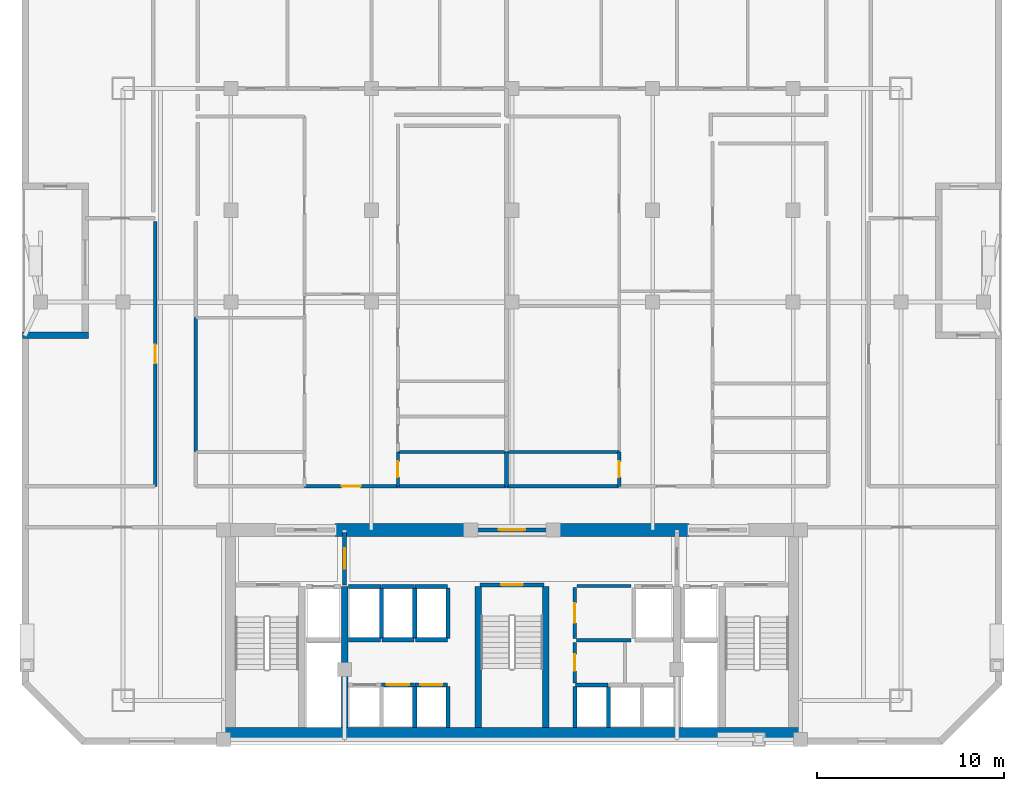
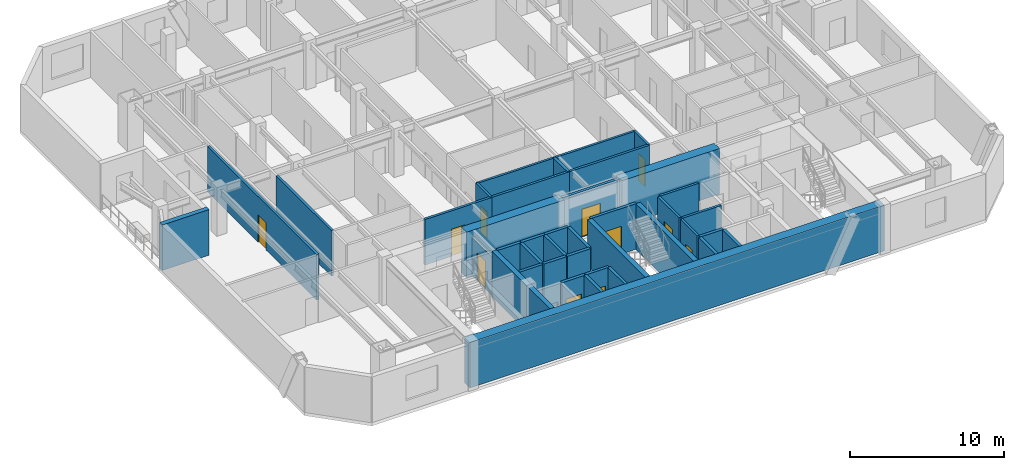
# One storey, part 3 of 9: 40 walls, 11 doors, 11 openings.
"""IFC4 building model written with IfcOpenShell, lengths in metres."""

from ifc_helpers import new_model, si_unit, direction, frame, frame_2d, origin, place, context, subcontext, project, spatial, rectangle, extrude, material, layer, layer_set, type_object, element, fill, save


model = new_model("IFC4")

# Units and contexts
model_context = context("Model", 3, precision=1e-05, world=origin(), true_north=direction((0.0, 1.0)))
body_context = subcontext(model_context, "Body", "Model", "MODEL_VIEW")
ifc_project = project(units=[si_unit("LENGTHUNIT", "METRE"), si_unit("AREAUNIT", "SQUARE_METRE"), si_unit("VOLUMEUNIT", "CUBIC_METRE"), si_unit("PLANEANGLEUNIT", "RADIAN"), si_unit("MASSUNIT", "GRAM", prefix="KILO")], contexts=[model_context])

# Site, building, storey
site_placement = place(None, origin())
site = spatial("IfcSite", under=ifc_project, at=site_placement, CompositionType="ELEMENT")
building_placement = place(site_placement, origin())
building = spatial("IfcBuilding", under=site, at=building_placement, Name="Ventersveld Concourse Tower", CompositionType="ELEMENT")
storey_placement = place(building_placement, frame((0.0, 0.0, 115.699951171875)))
storey = spatial("IfcBuildingStorey", under=building, at=storey_placement, Name="L28", CompositionType="ELEMENT", Elevation=115.699951171875)

# Walls
ifc_material_1 = material(Name="Concrete C60/75", Category="concrete")
ifc_layer_1 = layer(ifc_material_1, 0.35009765625)
ifc_layer_set_1 = layer_set([ifc_layer_1], Name="Concrete C60/75")
wall_type_1 = type_object("IfcWallType", Name="WL-CORE-350L", PredefinedType="SHEAR", material=ifc_layer_set_1)
for number, where, z_axis, x_axis, name in (
    (1, (19.820068359375, 0.919921875, 0.0), (0.0, 0.0, 1.0), (0.0, 1.0, 0.0), "L28 Core Internal Shear Web W-FF1-E"),
    (2, (26.93994140625, 0.919921875, 0.0), (0.0, 0.0, 1.0), (0.0, 1.0, 0.0), "L28 Core Internal Shear Web W-ST3-W"),
    (3, (30.56005859375, 0.919921875, 0.0), (0.0, 0.0, 1.0), (0.0, 1.0, 0.0), "L28 Core Internal Shear Web W-ST3-E"),
):
    element("IfcWall", number, at=place(storey_placement, frame(where, z_axis=z_axis, x_axis=x_axis)), inside=storey, type_object=wall_type_1, Name=name, PredefinedType="SHEAR", context=body_context, shape_type="SweptSolid", body=[
        extrude(rectangle(XDim=7.5, YDim=0.35009765625, at=frame_2d((3.75, 0.0))), origin(), (0.0, 0.0, 1.0), 3.60009765625),
    ])
ifc_layer_2 = layer(ifc_material_1, 0.699951171875)
ifc_layer_set_2 = layer_set([ifc_layer_2], Name="Concrete C60/75")
wall_type_2 = type_object("IfcWallType", Name="WL-CORE-700", PredefinedType="SHEAR", material=ifc_layer_set_2)
wall_1_placement = place(storey_placement, frame((13.25, 0.570068359375, 0.0), z_axis=(0.0, 0.0, 1.0), x_axis=(1.0, 0.0, 0.0)))
element("IfcWall", 4, at=wall_1_placement, inside=storey, type_object=wall_type_2, Name="L28 Rear Core South Shear Wall", PredefinedType="SHEAR", context=body_context, shape_type="SweptSolid", body=[
    extrude(rectangle(XDim=31.0, YDim=0.699951171875, at=frame_2d((15.5, 0.0))), origin(), (0.0, 0.0, 1.0), 3.60009765625),
])
for number, where, z_axis, x_axis, name in (
    (5, (19.300048828125, 11.449951171875, 0.0), (0.0, 0.0, 1.0), (1.0, 0.0, 0.0), "L28 Rear Core North Shear Wall NML"),
    (6, (30.89990234375, 11.449951171875, 0.0), (0.0, 0.0, 1.0), (1.0, 0.0, 0.0), "L28 Rear Core North Shear Wall NMR"),
):
    element("IfcWall", number, at=place(storey_placement, frame(where, z_axis=z_axis, x_axis=x_axis)), inside=storey, type_object=wall_type_2, Name=name, PredefinedType="SHEAR", context=body_context, shape_type="SweptSolid", body=[
        extrude(rectangle(XDim=7.300048828125, YDim=0.699951171875, at=frame_2d((3.64990234375, 0.0))), origin(), (0.0, 0.0, 1.0), 3.60009765625),
    ])

# Wall, opening, door
ifc_material_2 = material(Name="Fire-rated autoclaved aerated masonry blockwork", Category="masonry")
ifc_layer_3 = layer(ifc_material_2, 0.179931640625)
ifc_layer_set_3 = layer_set([ifc_layer_3], Name="Fire-rated autoclaved aerated masonry blockwork")
wall_type_3 = type_object("IfcWallType", Name="WL-CORR-180", PredefinedType="PARTITIONING", material=ifc_layer_set_3)
wall_2_placement = place(storey_placement, frame((32.10009765625, 5.64990234375, 0.0), z_axis=(0.0, 0.0, 1.0), x_axis=(0.0, 1.0, 0.0)))
wall_2 = element("IfcWall", 7, at=wall_2_placement, inside=storey, type_object=wall_type_3, Name="L28 Core Passage Wall SP-L28-CBAY1", PredefinedType="PARTITIONING", context=body_context, shape_type="SweptSolid", body=[
    extrude(rectangle(XDim=2.72998046875, YDim=0.179931640625, at=frame_2d((1.364990234375, 0.0))), origin(), (0.0, 0.0, 1.0), 3.60009765625),
])
opening_1_placement = place(wall_2_placement, frame((0.840087890625, 0.0, 0.0)))
opening_1 = element("IfcOpeningElement", 8, at=opening_1_placement, cuts=wall_2, Name="Opening ID3", PredefinedType="OPENING", context=body_context, shape_type="SweptSolid", body=[
    extrude(rectangle(XDim=1.050048828125, YDim=2.14990234375, at=frame_2d((0.52490234375, 1.074951171875))), frame((0.0, 0.10009765625, 0.0), z_axis=(0.0, -1.0, 0.0), x_axis=(1.0, 0.0, 0.0)), (0.0, 0.0, 1.0), 0.199951171875),
])
ifc_material_3 = material(Name="Solid-core hardwood veneer timber", Category="wood")
door_type_1 = type_object("IfcDoorType", Name="DR-AWC-105", OperationType="NOTDEFINED", PredefinedType="DOOR", material=ifc_material_3)
door_1_placement = place(opening_1_placement, origin())
door_1 = element("IfcDoor", 9, at=door_1_placement, inside=storey, type_object=door_type_1, Name="L28 Core Room Door L28 Core Unisex Accessible WC (CD-L28-1382)", OperationType="SINGLE_SWING_LEFT", OverallHeight=2.14990234375, OverallWidth=1.050048828125, PredefinedType="DOOR", context=body_context, shape_type="SweptSolid", body=[
    extrude(rectangle(XDim=1.050048828125, YDim=2.14990234375, at=frame_2d((0.52490234375, 1.074951171875))), frame((0.0, 0.02490234375, 0.0), z_axis=(0.0, -1.0, 0.0), x_axis=(1.0, 0.0, 0.0)), (0.0, 0.0, 1.0), 0.050048828125),
])
fill(opening_1, door_1)

# Walls
wall_3_placement = place(storey_placement, frame((32.219970703125, 8.4599609375, 0.0), z_axis=(0.0, 0.0, 1.0), x_axis=(1.0, 0.0, 0.0)))
element("IfcWall", 10, at=wall_3_placement, inside=storey, type_object=wall_type_3, Name="L28 Core Top Wall SP-L28-CBAY1", PredefinedType="PARTITIONING", context=body_context, shape_type="SweptSolid", body=[
    extrude(rectangle(XDim=2.880126953125, YDim=0.179931640625, at=frame_2d((1.43994140625, 0.0))), origin(), (0.0, 0.0, 1.0), 3.60009765625),
])
wall_4_placement = place(storey_placement, frame((32.179931640625, 5.570068359375, 0.0), z_axis=(0.0, 0.0, 1.0), x_axis=(1.0, 0.0, 0.0)))
element("IfcWall", 11, at=wall_4_placement, inside=storey, type_object=wall_type_3, Name="L28 Core Bot Wall SP-L28-CBAY1", PredefinedType="PARTITIONING", context=body_context, shape_type="SweptSolid", body=[
    extrude(rectangle(XDim=2.920166015625, YDim=0.179931640625, at=frame_2d((1.4599609375, 0.0))), origin(), (0.0, 0.0, 1.0), 3.60009765625),
])

# Wall, opening, door
wall_5_placement = place(storey_placement, frame((32.10009765625, 3.280029296875, 0.0), z_axis=(0.0, 0.0, 1.0), x_axis=(0.0, 1.0, 0.0)))
wall_5 = element("IfcWall", 12, at=wall_5_placement, inside=storey, type_object=wall_type_3, Name="L28 Core Passage Wall SP-L28-CBAY2", PredefinedType="PARTITIONING", context=body_context, shape_type="SweptSolid", body=[
    extrude(rectangle(XDim=2.169921875, YDim=0.179931640625, at=frame_2d((1.0849609375, 0.0))), origin(), (0.0, 0.0, 1.0), 3.60009765625),
])
opening_2_placement = place(wall_5_placement, frame((0.64501953125, 0.0, 0.0)))
opening_2 = element("IfcOpeningElement", 13, at=opening_2_placement, cuts=wall_5, Name="Opening FD5", PredefinedType="OPENING", context=body_context, shape_type="SweptSolid", body=[
    extrude(rectangle(XDim=0.8798828125, YDim=2.050048828125, at=frame_2d((0.43994140625, 1.02490234375))), frame((0.0, 0.10009765625, 0.0), z_axis=(0.0, -1.0, 0.0), x_axis=(1.0, 0.0, 0.0)), (0.0, 0.0, 1.0), 0.199951171875),
])
ifc_material_4 = material(Name="Galvanised painted steel", Category="steel")
door_type_2 = type_object("IfcDoorType", Name="DR-RISER-088", OperationType="NOTDEFINED", PredefinedType="DOOR", material=ifc_material_4)
door_2_placement = place(opening_2_placement, origin())
door_2 = element("IfcDoor", 14, at=door_2_placement, inside=storey, type_object=door_type_2, Name="L28 Core Room Door L28 Core Beverage Pantry (CD-L28-1383)", OperationType="SINGLE_SWING_RIGHT", OverallHeight=2.050048828125, OverallWidth=0.8798828125, PredefinedType="DOOR", context=body_context, shape_type="SweptSolid", body=[
    extrude(rectangle(XDim=0.8798828125, YDim=2.050048828125, at=frame_2d((0.43994140625, 1.02490234375))), frame((0.0, 0.02490234375, 0.0), z_axis=(0.0, -1.0, 0.0), x_axis=(1.0, 0.0, 0.0)), (0.0, 0.0, 1.0), 0.050048828125),
])
fill(opening_2, door_2)

wall_6_placement = place(storey_placement, frame((9.7099609375, 13.764892578125, 0.0), z_axis=(0.0, 0.0, 1.0), x_axis=(0.0, 1.0, 0.0)))
wall_6 = element("IfcWall", 15, at=wall_6_placement, inside=storey, type_object=wall_type_3, Name="L28 Interior Partition SP-L28-COR-SP-L28-NWLNG1", PredefinedType="PARTITIONING", context=body_context, shape_type="SweptSolid", body=[
    extrude(rectangle(XDim=14.130126953125, YDim=0.179931640625, at=frame_2d((7.06494140625, 0.0))), origin(), (0.0, 0.0, 1.0), 3.60009765625),
])
opening_3_placement = place(wall_6_placement, frame((6.56494140625, 0.0, 0.0)))
opening_3 = element("IfcOpeningElement", 16, at=opening_3_placement, cuts=wall_6, Name="Opening FD3", PredefinedType="OPENING", context=body_context, shape_type="SweptSolid", body=[
    extrude(rectangle(XDim=1.0, YDim=2.14990234375, at=frame_2d((0.5, 1.074951171875))), frame((0.0, 0.10009765625, 0.0), z_axis=(0.0, -1.0, 0.0), x_axis=(1.0, 0.0, 0.0)), (0.0, 0.0, 1.0), 0.199951171875),
])
door_type_3 = type_object("IfcDoorType", Name="DR-FLAT-100", OperationType="NOTDEFINED", PredefinedType="DOOR", material=ifc_material_3)
door_3_placement = place(opening_3_placement, origin())
door_3 = element("IfcDoor", 17, at=door_3_placement, inside=storey, type_object=door_type_3, Name="L28 Interior Door SP-L28-COR to SP-L28-NWLNG1 (D-L28-1386)", OperationType="SINGLE_SWING_RIGHT", OverallHeight=2.14990234375, OverallWidth=1.0, PredefinedType="DOOR", context=body_context, shape_type="SweptSolid", body=[
    extrude(rectangle(XDim=1.0, YDim=2.14990234375, at=frame_2d((0.5, 1.074951171875))), frame((0.0, 0.02490234375, 0.0), z_axis=(0.0, -1.0, 0.0), x_axis=(1.0, 0.0, 0.0)), (0.0, 0.0, 1.0), 0.050048828125),
])
fill(opening_3, door_3)

wall_7_placement = place(storey_placement, frame((17.676513671875, 13.77001953125, 0.0), z_axis=(0.0, 0.0, 1.0), x_axis=(1.0, 0.0, 0.0)))
wall_7 = element("IfcWall", 18, at=wall_7_placement, inside=storey, type_object=wall_type_3, Name="L28 Interior Partition SP-L28-COR-SP-L28-28N1-FOY", PredefinedType="PARTITIONING", context=body_context, shape_type="SweptSolid", body=[
    extrude(rectangle(XDim=4.989990234375, YDim=0.179931640625, at=frame_2d((2.4951171875, 0.0))), origin(), (0.0, 0.0, 1.0), 3.60009765625),
])
opening_4_placement = place(wall_7_placement, frame((1.9951171875, 0.0, 0.0)))
opening_4 = element("IfcOpeningElement", 19, at=opening_4_placement, cuts=wall_7, Name="Opening FD3", PredefinedType="OPENING", context=body_context, shape_type="SweptSolid", body=[
    extrude(rectangle(XDim=1.0, YDim=2.14990234375, at=frame_2d((0.5, 1.074951171875))), frame((0.0, 0.10009765625, 0.0), z_axis=(0.0, -1.0, 0.0), x_axis=(1.0, 0.0, 0.0)), (0.0, 0.0, 1.0), 0.199951171875),
])
door_4_placement = place(opening_4_placement, origin())
door_4 = element("IfcDoor", 20, at=door_4_placement, inside=storey, type_object=door_type_3, Name="L28 Interior Door SP-L28-COR to SP-L28-28N1-FOY (FD-L28-1388)", OperationType="SINGLE_SWING_RIGHT", OverallHeight=2.14990234375, OverallWidth=1.0, PredefinedType="DOOR", context=body_context, shape_type="SweptSolid", body=[
    extrude(rectangle(XDim=1.0, YDim=2.14990234375, at=frame_2d((0.5, 1.074951171875))), frame((0.0, 0.02490234375, 0.0), z_axis=(0.0, -1.0, 0.0), x_axis=(1.0, 0.0, 0.0)), (0.0, 0.0, 1.0), 0.050048828125),
])
fill(opening_4, door_4)

# Walls
wall_8_placement = place(storey_placement, frame((11.889892578125, 15.635009765625, 0.0), z_axis=(0.0, 0.0, 1.0), x_axis=(0.0, 1.0, 0.0)))
element("IfcWall", 21, at=wall_8_placement, inside=storey, type_object=wall_type_3, Name="L28 Interior Partition SP-L28-COR-SP-L28-28N1-OFFL0", PredefinedType="PARTITIONING", context=body_context, shape_type="SweptSolid", body=[
    extrude(rectangle(XDim=7.136474609375, YDim=0.179931640625, at=frame_2d((3.568359375, 0.0))), origin(), (0.0, 0.0, 1.0), 3.60009765625),
])
wall_9_placement = place(storey_placement, frame((22.696533203125, 13.77001953125, 0.0), z_axis=(0.0, 0.0, 1.0), x_axis=(1.0, 0.0, 0.0)))
element("IfcWall", 22, at=wall_9_placement, inside=storey, type_object=wall_type_3, Name="L28 Interior Partition SP-L28-COR-SP-L28-28N1-PWDR3", PredefinedType="PARTITIONING", context=body_context, shape_type="SweptSolid", body=[
    extrude(rectangle(XDim=5.761474609375, YDim=0.179931640625, at=frame_2d((2.880859375, 0.0))), origin(), (0.0, 0.0, 1.0), 3.60009765625),
])
wall_10_placement = place(storey_placement, frame((28.48779296875, 13.77001953125, 0.0), z_axis=(0.0, 0.0, 1.0), x_axis=(1.0, 0.0, 0.0)))
element("IfcWall", 23, at=wall_10_placement, inside=storey, type_object=wall_type_3, Name="L28 Interior Partition SP-L28-COR-SP-L28-28N2-BATH", PredefinedType="PARTITIONING", context=body_context, shape_type="SweptSolid", body=[
    extrude(rectangle(XDim=5.947998046875, YDim=0.179931640625, at=frame_2d((2.97412109375, 0.0))), origin(), (0.0, 0.0, 1.0), 3.60009765625),
])
ifc_layer_4 = layer(ifc_material_2, 0.199951171875)
ifc_layer_set_4 = layer_set([ifc_layer_4], Name="Fire-rated autoclaved aerated masonry blockwork")
wall_type_4 = type_object("IfcWallType", Name="WL-DEMISE-200", PredefinedType="PARTITIONING", material=ifc_layer_set_4)
wall_11_placement = place(storey_placement, frame((28.452880859375, 13.764892578125, 0.0), z_axis=(0.0, 0.0, 1.0), x_axis=(0.0, 1.0, 0.0)))
element("IfcWall", 24, at=wall_11_placement, inside=storey, type_object=wall_type_4, Name="L28 Interior Partition SP-L28-28N1-PWDR3-SP-L28-28N2-BATH", PredefinedType="PARTITIONING", context=body_context, shape_type="SweptSolid", body=[
    extrude(rectangle(XDim=1.840087890625, YDim=0.199951171875, at=frame_2d((0.919921875, 0.0))), origin(), (0.0, 0.0, 1.0), 3.60009765625),
])
ifc_layer_5 = layer(ifc_material_2, 0.219970703125)
ifc_layer_set_5 = layer_set([ifc_layer_5], Name="Fire-rated autoclaved aerated masonry blockwork")
wall_type_5 = type_object("IfcWallType", Name="WL-HOIST-220", PredefinedType="SOLIDWALL", material=ifc_layer_set_5)
wall_12_placement = place(storey_placement, frame((23.56005859375, 0.89990234375, 0.0), z_axis=(0.0, 0.0, 1.0), x_axis=(0.0, 1.0, 0.0)))
element("IfcWall", 25, at=wall_12_placement, inside=storey, type_object=wall_type_5, Name="L28 Lift Hoistway Side Wall PL-02E", PredefinedType="SOLIDWALL", context=body_context, shape_type="SweptSolid", body=[
    extrude(rectangle(XDim=2.2001953125, YDim=0.219970703125, at=frame_2d((1.10009765625, 0.0))), origin(), (0.0, 0.0, 1.0), 3.60009765625),
])

# Wall, opening, door
wall_13_placement = place(storey_placement, frame((21.800048828125, 3.179931640625, 0.0), z_axis=(0.0, 0.0, 1.0), x_axis=(1.0, 0.0, 0.0)))
wall_13 = element("IfcWall", 26, at=wall_13_placement, inside=storey, type_object=wall_type_5, Name="L28 Lift Hoistway Front Wall PL-02", PredefinedType="SOLIDWALL", context=body_context, shape_type="SweptSolid", body=[
    extrude(rectangle(XDim=1.739990234375, YDim=0.219970703125, at=frame_2d((0.8701171875, 0.0))), origin(), (0.0, 0.0, 1.0), 3.60009765625),
])
opening_5_placement = place(wall_13_placement, frame((0.280029296875, 0.0, 0.0)))
opening_5 = element("IfcOpeningElement", 27, at=opening_5_placement, cuts=wall_13, Name="Opening LD2", PredefinedType="OPENING", context=body_context, shape_type="SweptSolid", body=[
    extrude(rectangle(XDim=1.179931640625, YDim=2.199951171875, at=frame_2d((0.58984375, 1.10009765625))), frame((0.0, 0.1201171875, 0.0), z_axis=(0.0, -1.0, 0.0), x_axis=(1.0, 0.0, 0.0)), (0.0, 0.0, 1.0), 0.239990234375),
])
ifc_material_5 = material(Name="Brushed stainless steel 316", Category="steel")
door_type_4 = type_object("IfcDoorType", Name="LD-PAX-118", OperationType="SLIDING_TO_LEFT", PredefinedType="DOOR", material=ifc_material_5)
door_5_placement = place(opening_5_placement, origin())
door_5 = element("IfcDoor", 28, at=door_5_placement, inside=storey, type_object=door_type_4, Name="L28 Lift landing door PL-02 (LD-L28-PL-02)", OperationType="SLIDING_TO_LEFT", OverallHeight=2.199951171875, OverallWidth=1.179931640625, PredefinedType="DOOR", context=body_context, shape_type="SweptSolid", body=[
    extrude(rectangle(XDim=1.179931640625, YDim=2.199951171875, at=frame_2d((0.58984375, 1.10009765625))), frame((0.0, 0.02490234375, 0.0), z_axis=(0.0, -1.0, 0.0), x_axis=(1.0, 0.0, 0.0)), (0.0, 0.0, 1.0), 0.050048828125),
])
fill(opening_5, door_5)

# Wall
wall_14_placement = place(storey_placement, frame((25.340087890625, 0.89990234375, 0.0), z_axis=(0.0, 0.0, 1.0), x_axis=(0.0, 1.0, 0.0)))
element("IfcWall", 29, at=wall_14_placement, inside=storey, type_object=wall_type_5, Name="L28 Lift Hoistway Side Wall PL-03E", PredefinedType="SOLIDWALL", context=body_context, shape_type="SweptSolid", body=[
    extrude(rectangle(XDim=2.2001953125, YDim=0.219970703125, at=frame_2d((1.10009765625, 0.0))), origin(), (0.0, 0.0, 1.0), 3.60009765625),
])

# Wall, opening, door
wall_15_placement = place(storey_placement, frame((23.580078125, 3.179931640625, 0.0), z_axis=(0.0, 0.0, 1.0), x_axis=(1.0, 0.0, 0.0)))
wall_15 = element("IfcWall", 30, at=wall_15_placement, inside=storey, type_object=wall_type_5, Name="L28 Lift Hoistway Front Wall PL-03", PredefinedType="SOLIDWALL", context=body_context, shape_type="SweptSolid", body=[
    extrude(rectangle(XDim=1.739990234375, YDim=0.219970703125, at=frame_2d((0.8701171875, 0.0))), origin(), (0.0, 0.0, 1.0), 3.60009765625),
])
opening_6_placement = place(wall_15_placement, frame((0.280029296875, 0.0, 0.0)))
opening_6 = element("IfcOpeningElement", 31, at=opening_6_placement, cuts=wall_15, Name="Opening LD2", PredefinedType="OPENING", context=body_context, shape_type="SweptSolid", body=[
    extrude(rectangle(XDim=1.179931640625, YDim=2.199951171875, at=frame_2d((0.58984375, 1.10009765625))), frame((0.0, 0.1201171875, 0.0), z_axis=(0.0, -1.0, 0.0), x_axis=(1.0, 0.0, 0.0)), (0.0, 0.0, 1.0), 0.239990234375),
])
door_6_placement = place(opening_6_placement, origin())
door_6 = element("IfcDoor", 32, at=door_6_placement, inside=storey, type_object=door_type_4, Name="L28 Lift landing door PL-03 (LD-L28-PL-03)", OperationType="SLIDING_TO_RIGHT", OverallHeight=2.199951171875, OverallWidth=1.179931640625, PredefinedType="DOOR", context=body_context, shape_type="SweptSolid", body=[
    extrude(rectangle(XDim=1.179931640625, YDim=2.199951171875, at=frame_2d((0.58984375, 1.10009765625))), frame((0.0, 0.02490234375, 0.0), z_axis=(0.0, -1.0, 0.0), x_axis=(1.0, 0.0, 0.0)), (0.0, 0.0, 1.0), 0.050048828125),
])
fill(opening_6, door_6)

# Walls
for number, where, z_axis, x_axis, name in (
    (33, (32.1201171875, 0.89990234375, 0.0), (0.0, 0.0, 1.0), (0.0, 1.0, 0.0), "L28 Lift Hoistway Side Wall PM-01W"),
    (34, (33.89990234375, 0.89990234375, 0.0), (0.0, 0.0, 1.0), (0.0, 1.0, 0.0), "L28 Lift Hoistway Side Wall PM-01E"),
):
    element("IfcWall", number, at=place(storey_placement, frame(where, z_axis=z_axis, x_axis=x_axis)), inside=storey, type_object=wall_type_5, Name=name, PredefinedType="SOLIDWALL", context=body_context, shape_type="SweptSolid", body=[
        extrude(rectangle(XDim=2.2001953125, YDim=0.219970703125, at=frame_2d((1.10009765625, 0.0))), origin(), (0.0, 0.0, 1.0), 3.60009765625),
    ])
wall_16_placement = place(storey_placement, frame((32.139892578125, 3.179931640625, 0.0), z_axis=(0.0, 0.0, 1.0), x_axis=(1.0, 0.0, 0.0)))
element("IfcWall", 35, at=wall_16_placement, inside=storey, type_object=wall_type_5, Name="L28 Lift Hoistway Front Wall PM-01", PredefinedType="SOLIDWALL", context=body_context, shape_type="SweptSolid", body=[
    extrude(rectangle(XDim=1.739990234375, YDim=0.219970703125, at=frame_2d((0.8701171875, 0.0))), origin(), (0.0, 0.0, 1.0), 3.60009765625),
])
wall_17_placement = place(storey_placement, frame((20.0400390625, 5.590087890625, 0.0), z_axis=(0.0, 0.0, 1.0), x_axis=(1.0, 0.0, 0.0)))
element("IfcWall", 36, at=wall_17_placement, inside=storey, type_object=wall_type_5, Name="L28 Lift Hoistway Back Wall PH-01", PredefinedType="SOLIDWALL", context=body_context, shape_type="SweptSolid", body=[
    extrude(rectangle(XDim=1.699951171875, YDim=0.219970703125, at=frame_2d((0.85009765625, 0.0))), origin(), (0.0, 0.0, 1.0), 3.60009765625),
])
wall_18_placement = place(storey_placement, frame((21.780029296875, 5.64990234375, 0.0), z_axis=(0.0, 0.0, 1.0), x_axis=(0.0, 1.0, 0.0)))
element("IfcWall", 37, at=wall_18_placement, inside=storey, type_object=wall_type_5, Name="L28 Lift Hoistway Side Wall PH-01E", PredefinedType="SOLIDWALL", context=body_context, shape_type="SweptSolid", body=[
    extrude(rectangle(XDim=2.7001953125, YDim=0.219970703125, at=frame_2d((1.35009765625, 0.0))), origin(), (0.0, 0.0, 1.0), 3.60009765625),
])
wall_19_placement = place(storey_placement, frame((20.02001953125, 8.429931640625, 0.0), z_axis=(0.0, 0.0, 1.0), x_axis=(1.0, 0.0, 0.0)))
element("IfcWall", 38, at=wall_19_placement, inside=storey, type_object=wall_type_5, Name="L28 Lift Hoistway Front Wall PH-01", PredefinedType="SOLIDWALL", context=body_context, shape_type="SweptSolid", body=[
    extrude(rectangle(XDim=1.739990234375, YDim=0.219970703125, at=frame_2d((0.8701171875, 0.0))), origin(), (0.0, 0.0, 1.0), 3.60009765625),
])
wall_20_placement = place(storey_placement, frame((21.820068359375, 5.590087890625, 0.0), z_axis=(0.0, 0.0, 1.0), x_axis=(1.0, 0.0, 0.0)))
element("IfcWall", 39, at=wall_20_placement, inside=storey, type_object=wall_type_5, Name="L28 Lift Hoistway Back Wall PH-02", PredefinedType="SOLIDWALL", context=body_context, shape_type="SweptSolid", body=[
    extrude(rectangle(XDim=1.699951171875, YDim=0.219970703125, at=frame_2d((0.85009765625, 0.0))), origin(), (0.0, 0.0, 1.0), 3.60009765625),
])
wall_21_placement = place(storey_placement, frame((23.56005859375, 5.64990234375, 0.0), z_axis=(0.0, 0.0, 1.0), x_axis=(0.0, 1.0, 0.0)))
element("IfcWall", 40, at=wall_21_placement, inside=storey, type_object=wall_type_5, Name="L28 Lift Hoistway Side Wall PH-02E", PredefinedType="SOLIDWALL", context=body_context, shape_type="SweptSolid", body=[
    extrude(rectangle(XDim=2.7001953125, YDim=0.219970703125, at=frame_2d((1.35009765625, 0.0))), origin(), (0.0, 0.0, 1.0), 3.60009765625),
])
wall_22_placement = place(storey_placement, frame((21.800048828125, 8.429931640625, 0.0), z_axis=(0.0, 0.0, 1.0), x_axis=(1.0, 0.0, 0.0)))
element("IfcWall", 41, at=wall_22_placement, inside=storey, type_object=wall_type_5, Name="L28 Lift Hoistway Front Wall PH-02", PredefinedType="SOLIDWALL", context=body_context, shape_type="SweptSolid", body=[
    extrude(rectangle(XDim=1.739990234375, YDim=0.219970703125, at=frame_2d((0.8701171875, 0.0))), origin(), (0.0, 0.0, 1.0), 3.60009765625),
])
wall_23_placement = place(storey_placement, frame((23.60009765625, 5.590087890625, 0.0), z_axis=(0.0, 0.0, 1.0), x_axis=(1.0, 0.0, 0.0)))
element("IfcWall", 42, at=wall_23_placement, inside=storey, type_object=wall_type_5, Name="L28 Lift Hoistway Back Wall PH-03", PredefinedType="SOLIDWALL", context=body_context, shape_type="SweptSolid", body=[
    extrude(rectangle(XDim=1.699951171875, YDim=0.219970703125, at=frame_2d((0.85009765625, 0.0))), origin(), (0.0, 0.0, 1.0), 3.60009765625),
])
wall_24_placement = place(storey_placement, frame((25.340087890625, 5.64990234375, 0.0), z_axis=(0.0, 0.0, 1.0), x_axis=(0.0, 1.0, 0.0)))
element("IfcWall", 43, at=wall_24_placement, inside=storey, type_object=wall_type_5, Name="L28 Lift Hoistway Side Wall PH-03E", PredefinedType="SOLIDWALL", context=body_context, shape_type="SweptSolid", body=[
    extrude(rectangle(XDim=2.7001953125, YDim=0.219970703125, at=frame_2d((1.35009765625, 0.0))), origin(), (0.0, 0.0, 1.0), 3.60009765625),
])
wall_25_placement = place(storey_placement, frame((23.580078125, 8.429931640625, 0.0), z_axis=(0.0, 0.0, 1.0), x_axis=(1.0, 0.0, 0.0)))
element("IfcWall", 44, at=wall_25_placement, inside=storey, type_object=wall_type_5, Name="L28 Lift Hoistway Front Wall PH-03", PredefinedType="SOLIDWALL", context=body_context, shape_type="SweptSolid", body=[
    extrude(rectangle(XDim=1.739990234375, YDim=0.219970703125, at=frame_2d((0.8701171875, 0.0))), origin(), (0.0, 0.0, 1.0), 3.60009765625),
])

# Wall, opening, door
wall_26_placement = place(storey_placement, frame((27.0400390625, 8.52001953125, 0.0), z_axis=(0.0, 0.0, 1.0), x_axis=(1.0, 0.0, 0.0)))
wall_26 = element("IfcWall", 45, at=wall_26_placement, inside=storey, type_object=wall_type_5, Name="L28 Escape Stair ST03 Fire Wall", PredefinedType="SOLIDWALL", context=body_context, shape_type="SweptSolid", body=[
    extrude(rectangle(XDim=3.419921875, YDim=0.219970703125, at=frame_2d((1.7099609375, 0.0))), origin(), (0.0, 0.0, 1.0), 3.60009765625),
])
opening_7_placement = place(wall_26_placement, frame((1.135009765625, 0.0, 0.0)))
opening_7 = element("IfcOpeningElement", 46, at=opening_7_placement, cuts=wall_26, Name="Opening FD1", PredefinedType="OPENING", context=body_context, shape_type="SweptSolid", body=[
    extrude(rectangle(XDim=1.14990234375, YDim=2.199951171875, at=frame_2d((0.574951171875, 1.10009765625))), frame((0.0, 0.1201171875, 0.0), z_axis=(0.0, -1.0, 0.0), x_axis=(1.0, 0.0, 0.0)), (0.0, 0.0, 1.0), 0.239990234375),
])
door_type_5 = type_object("IfcDoorType", Name="DR-STAIR-115", OperationType="NOTDEFINED", PredefinedType="DOOR", material=ifc_material_4)
door_7_placement = place(opening_7_placement, origin())
door_7 = element("IfcDoor", 47, at=door_7_placement, inside=storey, type_object=door_type_5, Name="L28 Escape Stair Door ST03 (SD-L28-1376)", OperationType="SINGLE_SWING_LEFT", OverallHeight=2.199951171875, OverallWidth=1.14990234375, PredefinedType="DOOR", context=body_context, shape_type="SweptSolid", body=[
    extrude(rectangle(XDim=1.14990234375, YDim=2.199951171875, at=frame_2d((0.574951171875, 1.10009765625))), frame((0.0, 0.02490234375, 0.0), z_axis=(0.0, -1.0, 0.0), x_axis=(1.0, 0.0, 0.0)), (0.0, 0.0, 1.0), 0.050048828125),
])
fill(opening_7, door_7)

wall_27_placement = place(storey_placement, frame((19.820068359375, 8.52001953125, 0.0), z_axis=(0.0, 0.0, 1.0), x_axis=(0.0, 1.0, 0.0)))
wall_27 = element("IfcWall", 48, at=wall_27_placement, inside=storey, type_object=wall_type_5, Name="L28 Firefighting Lobby Smoke-Stop Wall FFLW-SEP", PredefinedType="SOLIDWALL", context=body_context, shape_type="SweptSolid", body=[
    extrude(rectangle(XDim=2.800048828125, YDim=0.219970703125, at=frame_2d((1.39990234375, 0.0))), origin(), (0.0, 0.0, 1.0), 3.0556640625),
])
opening_8_placement = place(wall_27_placement, frame((0.85009765625, 0.0, 0.0)))
opening_8 = element("IfcOpeningElement", 49, at=opening_8_placement, cuts=wall_27, Name="Opening FD2", PredefinedType="OPENING", context=body_context, shape_type="SweptSolid", body=[
    extrude(rectangle(XDim=1.10009765625, YDim=2.199951171875, at=frame_2d((0.550048828125, 1.10009765625))), frame((0.0, 0.1201171875, 0.0), z_axis=(0.0, -1.0, 0.0), x_axis=(1.0, 0.0, 0.0)), (0.0, 0.0, 1.0), 0.239990234375),
])
door_type_6 = type_object("IfcDoorType", Name="DR-FFL-110", OperationType="NOTDEFINED", PredefinedType="DOOR", material=ifc_material_4)
door_8_placement = place(opening_8_placement, origin())
door_8 = element("IfcDoor", 50, at=door_8_placement, inside=storey, type_object=door_type_6, Name="L28 Firefighting Lobby Door FFLW-SEP (FD-L28-1377)", OperationType="SINGLE_SWING_LEFT", OverallHeight=2.199951171875, OverallWidth=1.10009765625, PredefinedType="DOOR", context=body_context, shape_type="SweptSolid", body=[
    extrude(rectangle(XDim=1.10009765625, YDim=2.199951171875, at=frame_2d((0.550048828125, 1.10009765625))), frame((0.0, 0.02490234375, 0.0), z_axis=(0.0, -1.0, 0.0), x_axis=(1.0, 0.0, 0.0)), (0.0, 0.0, 1.0), 0.050048828125),
])
fill(opening_8, door_8)

wall_28_placement = place(storey_placement, frame((26.6298828125, 11.449951171875, 0.0), z_axis=(0.0, 0.0, 1.0), x_axis=(1.0, 0.0, 0.0)))
wall_28 = element("IfcWall", 51, at=wall_28_placement, inside=storey, type_object=wall_type_5, Name="L28 Core North Fire Portal PLOB-OUT", PredefinedType="SOLIDWALL", context=body_context, shape_type="SweptSolid", body=[
    extrude(rectangle(XDim=4.240234375, YDim=0.219970703125, at=frame_2d((2.1201171875, 0.0))), origin(), (0.0, 0.0, 1.0), 3.60009765625),
])
opening_9_placement = place(wall_28_placement, frame((1.419921875, 0.0, 0.0)))
opening_9 = element("IfcOpeningElement", 52, at=opening_9_placement, cuts=wall_28, Name="Opening FD4", PredefinedType="OPENING", context=body_context, shape_type="SweptSolid", body=[
    extrude(rectangle(XDim=1.39990234375, YDim=2.199951171875, at=frame_2d((0.699951171875, 1.10009765625))), frame((0.0, 0.1201171875, 0.0), z_axis=(0.0, -1.0, 0.0), x_axis=(1.0, 0.0, 0.0)), (0.0, 0.0, 1.0), 0.239990234375),
])
door_type_7 = type_object("IfcDoorType", Name="DR-PLANT-140", OperationType="DOUBLE_DOOR_SINGLE_SWING", PredefinedType="DOOR", material=ifc_material_4)
door_9_placement = place(opening_9_placement, origin())
door_9 = element("IfcDoor", 53, at=door_9_placement, inside=storey, type_object=door_type_7, Name="L28 Core Lobby Fire Door PLOB-OUT (FD-L28-1380)", OperationType="DOUBLE_DOOR_SINGLE_SWING", OverallHeight=2.199951171875, OverallWidth=1.39990234375, PredefinedType="DOOR", context=body_context, shape_type="SweptSolid", body=[
    extrude(rectangle(XDim=1.39990234375, YDim=2.199951171875, at=frame_2d((0.699951171875, 1.10009765625))), frame((0.0, 0.02490234375, 0.0), z_axis=(0.0, -1.0, 0.0), x_axis=(1.0, 0.0, 0.0)), (0.0, 0.0, 1.0), 0.050048828125),
])
fill(opening_9, door_9)

# Wall
ifc_material_6 = material(Name="Precast concrete C45/55", Category="concrete")
ifc_layer_6 = layer(ifc_material_6, 0.35009765625)
ifc_layer_set_6 = layer_set([ifc_layer_6], Name="Precast concrete C45/55")
wall_type_6 = type_object("IfcWallType", Name="WL-PREC-350", PredefinedType="SOLIDWALL", material=ifc_layer_set_6)
wall_29_placement = place(storey_placement, frame((6.14990234375, 21.824951171875, 0.0), z_axis=(0.0, 0.0, 1.0), x_axis=(-1.0, 0.0, 0.0)))
element("IfcWall", 54, at=wall_29_placement, inside=storey, type_object=wall_type_6, Name="L28 Highveld Precast Facade Wall E14", PredefinedType="SOLIDWALL", context=body_context, shape_type="SweptSolid", body=[
    extrude(rectangle(XDim=3.510009765625, YDim=0.35009765625, at=frame_2d((1.7548828125, 0.0))), origin(), (0.0, 0.0, 1.0), 3.60009765625),
])

# Wall, opening, door
ifc_material_7 = material(Name="Autoclaved aerated masonry blockwork", Category="masonry")
ifc_layer_7 = layer(ifc_material_7, 0.1650390625)
ifc_layer_set_7 = layer_set([ifc_layer_7], Name="Autoclaved aerated masonry blockwork")
wall_type_7 = type_object("IfcWallType", Name="WL-WET-165", PredefinedType="PLUMBINGWALL", material=ifc_layer_set_7)
wall_30_placement = place(storey_placement, frame((22.66162109375, 13.764892578125, 0.0), z_axis=(0.0, 0.0, 1.0), x_axis=(0.0, 1.0, 0.0)))
wall_30 = element("IfcWall", 55, at=wall_30_placement, inside=storey, type_object=wall_type_7, Name="L28 Interior Partition SP-L28-28N1-FOY-SP-L28-28N1-PWDR3", PredefinedType="PLUMBINGWALL", context=body_context, shape_type="SweptSolid", body=[
    extrude(rectangle(XDim=1.840087890625, YDim=0.1650390625, at=frame_2d((0.919921875, 0.0))), origin(), (0.0, 0.0, 1.0), 3.60009765625),
])
opening_10_placement = place(wall_30_placement, frame((0.4951171875, 0.0, 0.0)))
opening_10 = element("IfcOpeningElement", 56, at=opening_10_placement, cuts=wall_30, Name="Opening ID2", PredefinedType="OPENING", context=body_context, shape_type="SweptSolid", body=[
    extrude(rectangle(XDim=0.85009765625, YDim=2.10009765625, at=frame_2d((0.425048828125, 1.050048828125))), frame((0.0, 0.092529296875, 0.0), z_axis=(0.0, -1.0, 0.0), x_axis=(1.0, 0.0, 0.0)), (0.0, 0.0, 1.0), 0.18505859375),
])
door_type_8 = type_object("IfcDoorType", Name="DR-BATH-085", OperationType="NOTDEFINED", PredefinedType="DOOR", material=ifc_material_3)
door_10_placement = place(opening_10_placement, origin())
door_10 = element("IfcDoor", 57, at=door_10_placement, inside=storey, type_object=door_type_8, Name="L28 Interior Door SP-L28-28N1-FOY to SP-L28-28N1-PWDR3 (D-L28-1396)", OperationType="SINGLE_SWING_RIGHT", OverallHeight=2.10009765625, OverallWidth=0.85009765625, PredefinedType="DOOR", context=body_context, shape_type="SweptSolid", body=[
    extrude(rectangle(XDim=0.85009765625, YDim=2.10009765625, at=frame_2d((0.425048828125, 1.050048828125))), frame((0.0, 0.02490234375, 0.0), z_axis=(0.0, -1.0, 0.0), x_axis=(1.0, 0.0, 0.0)), (0.0, 0.0, 1.0), 0.050048828125),
])
fill(opening_10, door_10)

# Wall
wall_31_placement = place(storey_placement, frame((22.656494140625, 15.60009765625, 0.0), z_axis=(0.0, 0.0, 1.0), x_axis=(1.0, 0.0, 0.0)))
element("IfcWall", 58, at=wall_31_placement, inside=storey, type_object=wall_type_7, Name="L28 Interior Partition SP-L28-28N1-PWDR3-SP-L28-28N1-KIT", PredefinedType="PLUMBINGWALL", context=body_context, shape_type="SweptSolid", body=[
    extrude(rectangle(XDim=5.801513671875, YDim=0.1650390625, at=frame_2d((2.90087890625, 0.0))), origin(), (0.0, 0.0, 1.0), 3.60009765625),
])

# Wall, opening, door
wall_32_placement = place(storey_placement, frame((34.470703125, 13.764892578125, 0.0), z_axis=(0.0, 0.0, 1.0), x_axis=(0.0, 1.0, 0.0)))
wall_32 = element("IfcWall", 59, at=wall_32_placement, inside=storey, type_object=wall_type_7, Name="L28 Interior Partition SP-L28-28N2-FOY-SP-L28-28N2-BATH", PredefinedType="PLUMBINGWALL", context=body_context, shape_type="SweptSolid", body=[
    extrude(rectangle(XDim=1.840087890625, YDim=0.1650390625, at=frame_2d((0.919921875, 0.0))), origin(), (0.0, 0.0, 1.0), 3.60009765625),
])
opening_11_placement = place(wall_32_placement, frame((0.4951171875, 0.0, 0.0)))
opening_11 = element("IfcOpeningElement", 60, at=opening_11_placement, cuts=wall_32, Name="Opening ID2", PredefinedType="OPENING", context=body_context, shape_type="SweptSolid", body=[
    extrude(rectangle(XDim=0.85009765625, YDim=2.10009765625, at=frame_2d((0.425048828125, 1.050048828125))), frame((0.0, 0.092529296875, 0.0), z_axis=(0.0, -1.0, 0.0), x_axis=(1.0, 0.0, 0.0)), (0.0, 0.0, 1.0), 0.18505859375),
])
door_11_placement = place(opening_11_placement, origin())
door_11 = element("IfcDoor", 61, at=door_11_placement, inside=storey, type_object=door_type_8, Name="L28 Interior Door SP-L28-28N2-FOY to SP-L28-28N2-BATH (D-L28-1407)", OperationType="SINGLE_SWING_LEFT", OverallHeight=2.10009765625, OverallWidth=0.85009765625, PredefinedType="DOOR", context=body_context, shape_type="SweptSolid", body=[
    extrude(rectangle(XDim=0.85009765625, YDim=2.10009765625, at=frame_2d((0.425048828125, 1.050048828125))), frame((0.0, 0.02490234375, 0.0), z_axis=(0.0, -1.0, 0.0), x_axis=(1.0, 0.0, 0.0)), (0.0, 0.0, 1.0), 0.050048828125),
])
fill(opening_11, door_11)

# Wall
wall_33_placement = place(storey_placement, frame((28.48779296875, 15.60009765625, 0.0), z_axis=(0.0, 0.0, 1.0), x_axis=(1.0, 0.0, 0.0)))
element("IfcWall", 62, at=wall_33_placement, inside=storey, type_object=wall_type_7, Name="L28 Interior Partition SP-L28-28N2-BATH-SP-L28-28N2-OFFL0", PredefinedType="PLUMBINGWALL", context=body_context, shape_type="SweptSolid", body=[
    extrude(rectangle(XDim=5.988037109375, YDim=0.1650390625, at=frame_2d((2.994140625, 0.0))), origin(), (0.0, 0.0, 1.0), 3.60009765625),
])

save(model, "model.ifc")
